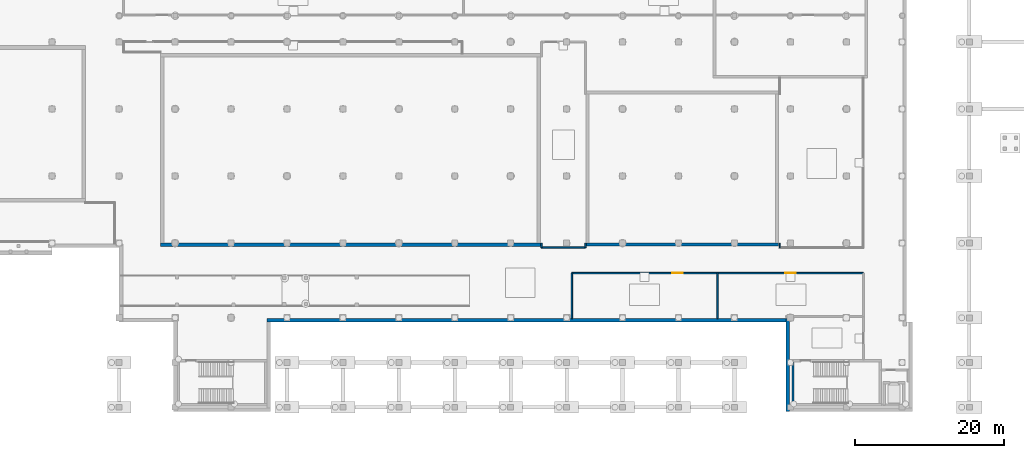
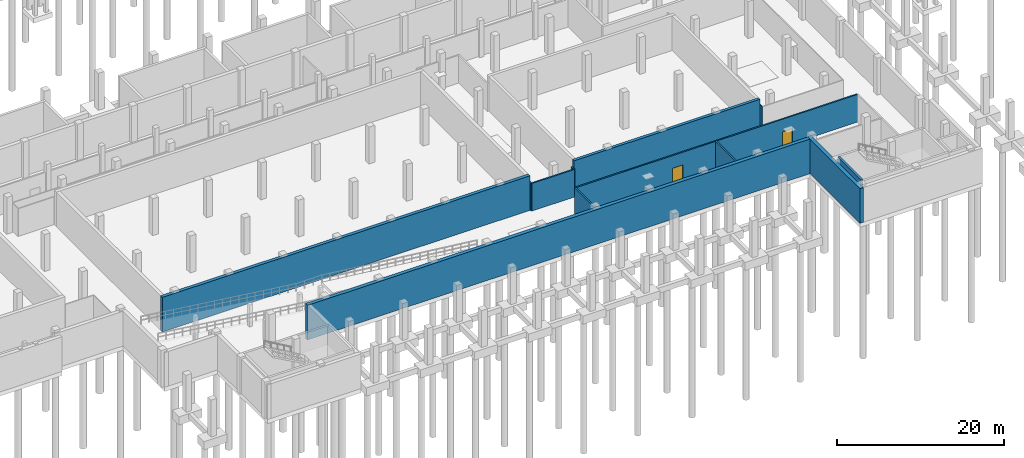
# One storey, part 10 of 19: 13 walls, 2 doors, 2 openings.
"""IFC4 building model written with IfcOpenShell, lengths in metres."""

from ifc_helpers import new_model, si_unit, direction, frame, frame_2d, origin, place, context, subcontext, project, spatial, rectangle, extrude, material, layer, layer_set, type_object, element, fill, save


model = new_model("IFC4")

# Units and contexts
model_context = context("Model", 3, precision=1e-05, world=origin(), true_north=direction((0.0, 1.0)))
body_context = subcontext(model_context, "Body", "Model", "MODEL_VIEW")
ifc_project = project(units=[si_unit("LENGTHUNIT", "METRE"), si_unit("AREAUNIT", "SQUARE_METRE"), si_unit("VOLUMEUNIT", "CUBIC_METRE"), si_unit("PLANEANGLEUNIT", "RADIAN"), si_unit("MASSUNIT", "GRAM", prefix="KILO")], contexts=[model_context])

# Site, building, storey
site_placement = place(None, origin())
site = spatial("IfcSite", under=ifc_project, at=site_placement, CompositionType="ELEMENT")
building_placement = place(site_placement, origin())
building = spatial("IfcBuilding", under=site, at=building_placement, Name="Vourika Railside Aquatics Centre", CompositionType="ELEMENT")
storey_placement = place(building_placement, frame((0.0, 0.0, -5.39990234375)))
storey = spatial("IfcBuildingStorey", under=building, at=storey_placement, Name="B1", CompositionType="ELEMENT", Elevation=-5.39990234375)

# Walls
ifc_material_1 = material(Name="Concrete C40/50", Category="concrete")
ifc_layer_1 = layer(ifc_material_1, 0.300048828125, Name="WL-CORE")
ifc_layer_set_1 = layer_set([ifc_layer_1], Name="Concrete C40/50")
wall_type_1 = type_object("IfcWallType", Name="WL-CORE", PredefinedType="SHEAR", material=ifc_layer_set_1)
wall_1_placement = place(storey_placement, frame((126.35009765625, 6.10009765625, 0.0), z_axis=(0.0, 0.0, 1.0), x_axis=(0.0, -1.0, 0.0)))
element("IfcWall", 1, at=wall_1_placement, inside=storey, type_object=wall_type_1, Name="Protected Exit Stair Core ST06 West Wall (B1)", PredefinedType="SHEAR", context=body_context, shape_type="SweptSolid", body=[
    extrude(rectangle(XDim=5.60009765625, YDim=0.300048828125, at=frame_2d((2.800048828125, 0.0))), origin(), (0.0, 0.0, 1.0), 5.39990234375),
])
ifc_material_2 = material(Name="Lightweight drylining partition")
ifc_layer_2 = layer(ifc_material_2, 0.1201171875, Name="WL-PART-120")
ifc_layer_set_2 = layer_set([ifc_layer_2], Name="Lightweight drylining partition")
wall_type_2 = type_object("IfcWallType", Name="WL-PART-120", PredefinedType="PARTITIONING", material=ifc_layer_set_2)
wall_2_placement = place(storey_placement, frame((124.60009765625, 21.39990234375, 0.0), z_axis=(0.0, 0.0, 1.0), x_axis=(0.0, 1.0, 0.0)))
element("IfcWall", 2, at=wall_2_placement, inside=storey, type_object=wall_type_2, Name="Training and Leisure Pool Filtration Hall Partition 3", PredefinedType="PARTITIONING", context=body_context, shape_type="SweptSolid", body=[
    extrude(rectangle(XDim=0.60009765625, YDim=0.1201171875, at=frame_2d((0.300048828125, 0.0))), origin(), (0.0, 0.0, 1.0), 4.0498046875),
])

# Wall, opening, door
ifc_material_3 = material(Name="Acoustic masonry blockwork", Category="masonry")
ifc_layer_3 = layer(ifc_material_3, 0.199951171875, Name="WL-PART-200")
ifc_layer_set_3 = layer_set([ifc_layer_3], Name="Acoustic masonry blockwork")
wall_type_3 = type_object("IfcWallType", Name="WL-PART-200", PredefinedType="PARTITIONING", material=ifc_layer_set_3)
wall_3_placement = place(storey_placement, frame((96.699951171875, 18.0, 0.0), z_axis=(0.0, 0.0, 1.0), x_axis=(1.0, 0.0, 0.0)))
wall_3 = element("IfcWall", 3, at=wall_3_placement, inside=storey, type_object=wall_type_3, Name="Bunded Dosing Reagents and Chemical Store Partition 1", PredefinedType="PARTITIONING", context=body_context, shape_type="SweptSolid", body=[
    extrude(rectangle(XDim=19.5, YDim=0.199951171875, at=frame_2d((9.75, 0.0))), origin(), (0.0, 0.0, 1.0), 4.0498046875),
])
opening_1_placement = place(wall_3_placement, frame((13.449951171875, 0.0, 0.0)))
opening_1 = element("IfcOpeningElement", 4, at=opening_1_placement, cuts=wall_3, Name="Opening DP01", PredefinedType="OPENING", context=body_context, shape_type="SweptSolid", body=[
    extrude(rectangle(XDim=1.39990234375, YDim=2.199951171875, at=frame_2d((0.699951171875, 1.10009765625))), frame((0.0, 0.10986328125, 0.0), z_axis=(0.0, -1.0, 0.0), x_axis=(1.0, 0.0, 0.0)), (0.0, 0.0, 1.0), 0.219970703125),
])
ifc_material_4 = material(Name="Fire-rated plant room double door")
door_type = type_object("IfcDoorType", Name="DR-PLT-1400D", OperationType="DOUBLE_DOOR_SINGLE_SWING", PredefinedType="DOOR", material=ifc_material_4)
door_1_placement = place(opening_1_placement, origin())
door_1 = element("IfcDoor", 5, at=door_1_placement, inside=storey, type_object=door_type, Name="Bunded Dosing Reagents and Chemical Store Door", OperationType="DOUBLE_DOOR_SINGLE_SWING", OverallHeight=2.199951171875, OverallWidth=1.39990234375, PredefinedType="DOOR", context=body_context, shape_type="SweptSolid", body=[
    extrude(rectangle(XDim=1.39990234375, YDim=2.199951171875, at=frame_2d((0.699951171875, 1.10009765625))), frame((0.0, 0.02490234375, 0.0), z_axis=(0.0, -1.0, 0.0), x_axis=(1.0, 0.0, 0.0)), (0.0, 0.0, 1.0), 0.050048828125),
])
fill(opening_1, door_1)

# Walls
for number, where, z_axis, x_axis, name in (
    (6, (96.699951171875, 11.8798828125, 0.0), (0.0, 0.0, 1.0), (0.0, 1.0, 0.0), "Bunded Dosing Reagents and Chemical Store Partition 2"),
    (7, (116.199951171875, 18.0, 0.0), (0.0, 0.0, 1.0), (0.0, -1.0, 0.0), "Bunded Dosing Reagents and Chemical Store Partition 3"),
):
    element("IfcWall", number, at=place(storey_placement, frame(where, z_axis=z_axis, x_axis=x_axis)), inside=storey, type_object=wall_type_3, Name=name, PredefinedType="PARTITIONING", context=body_context, shape_type="SweptSolid", body=[
        extrude(rectangle(XDim=6.1201171875, YDim=0.199951171875, at=frame_2d((3.06005859375, 0.0))), origin(), (0.0, 0.0, 1.0), 4.0498046875),
    ])

# Wall, opening, door
wall_4_placement = place(storey_placement, frame((116.280029296875, 18.0, 0.0), z_axis=(0.0, 0.0, 1.0), x_axis=(1.0, 0.0, 0.0)))
wall_4 = element("IfcWall", 8, at=wall_4_placement, inside=storey, type_object=wall_type_3, Name="Aquatic Maintenance Equipment Store Partition 1", PredefinedType="PARTITIONING", context=body_context, shape_type="SweptSolid", body=[
    extrude(rectangle(XDim=19.52001953125, YDim=0.199951171875, at=frame_2d((9.760009765625, 0.0))), origin(), (0.0, 0.0, 1.0), 4.0498046875),
])
opening_2_placement = place(wall_4_placement, frame((9.06005859375, 0.0, 0.0)))
opening_2 = element("IfcOpeningElement", 9, at=opening_2_placement, cuts=wall_4, Name="Opening DP01", PredefinedType="OPENING", context=body_context, shape_type="SweptSolid", body=[
    extrude(rectangle(XDim=1.39990234375, YDim=2.199951171875, at=frame_2d((0.699951171875, 1.10009765625))), frame((0.0, 0.10986328125, 0.0), z_axis=(0.0, -1.0, 0.0), x_axis=(1.0, 0.0, 0.0)), (0.0, 0.0, 1.0), 0.219970703125),
])
door_2_placement = place(opening_2_placement, origin())
door_2 = element("IfcDoor", 10, at=door_2_placement, inside=storey, type_object=door_type, Name="Aquatic Maintenance Equipment Store Door", OperationType="DOUBLE_DOOR_SINGLE_SWING", OverallHeight=2.199951171875, OverallWidth=1.39990234375, PredefinedType="DOOR", context=body_context, shape_type="SweptSolid", body=[
    extrude(rectangle(XDim=1.39990234375, YDim=2.199951171875, at=frame_2d((0.699951171875, 1.10009765625))), frame((0.0, 0.02490234375, 0.0), z_axis=(0.0, -1.0, 0.0), x_axis=(1.0, 0.0, 0.0)), (0.0, 0.0, 1.0), 0.050048828125),
])
fill(opening_2, door_2)

# Walls
wall_5_placement = place(storey_placement, frame((98.5, 21.39990234375, 0.0), z_axis=(0.0, 0.0, 1.0), x_axis=(-1.0, 0.0, 0.0)))
element("IfcWall", 11, at=wall_5_placement, inside=storey, type_object=wall_type_3, Name="Ozone Reactors and UV Disinfection Plant Partition 2", PredefinedType="PARTITIONING", context=body_context, shape_type="SweptSolid", body=[
    extrude(rectangle(XDim=5.89990234375, YDim=0.199951171875, at=frame_2d((2.949951171875, 0.0))), origin(), (0.0, 0.0, 1.0), 4.0498046875),
])
for number, where, z_axis, x_axis, name in (
    (12, (92.60009765625, 21.39990234375, 0.0), (0.0, 0.0, 1.0), (0.0, 1.0, 0.0), "Ozone Reactors and UV Disinfection Plant Partition 3"),
    (13, (98.5, 22.0, 0.0), (0.0, 0.0, 1.0), (0.0, -1.0, 0.0), "Ozone Reactors and UV Disinfection Plant Partition 4"),
):
    element("IfcWall", number, at=place(storey_placement, frame(where, z_axis=z_axis, x_axis=x_axis)), inside=storey, type_object=wall_type_3, Name=name, PredefinedType="PARTITIONING", context=body_context, shape_type="SweptSolid", body=[
        extrude(rectangle(XDim=0.60009765625, YDim=0.199951171875, at=frame_2d((0.300048828125, 0.0))), origin(), (0.0, 0.0, 1.0), 4.0498046875),
    ])
ifc_layer_4 = layer(ifc_material_1, 0.5, Name="WL-RET-500")
ifc_layer_set_4 = layer_set([ifc_layer_4], Name="Concrete C40/50")
wall_type_4 = type_object("IfcWallType", Name="WL-RET-500", PredefinedType="USERDEFINED", material=ifc_layer_set_4)
wall_6_placement = place(storey_placement, frame((125.64990234375, -0.60009765625, 0.0), z_axis=(0.0, 0.0, 1.0), x_axis=(0.0, 1.0, 0.0)))
element("IfcWall", 14, at=wall_6_placement, inside=storey, type_object=wall_type_4, Name="Basement Retaining Wall RW-21", ObjectType="RETAININGWALL", PredefinedType="USERDEFINED", context=body_context, shape_type="SweptSolid", body=[
    extrude(rectangle(XDim=12.5, YDim=0.5, at=frame_2d((6.25, 0.0))), origin(), (0.0, 0.0, 1.0), 5.079833984375),
])
wall_7_placement = place(storey_placement, frame((125.39990234375, 11.64990234375, 0.0), z_axis=(0.0, 0.0, 1.0), x_axis=(-1.0, 0.0, 0.0)))
element("IfcWall", 15, at=wall_7_placement, inside=storey, type_object=wall_type_4, Name="Basement Retaining Wall RW-22", ObjectType="RETAININGWALL", PredefinedType="USERDEFINED", context=body_context, shape_type="SweptSolid", body=[
    extrude(rectangle(XDim=69.599853515625, YDim=0.5, at=frame_2d((34.7998046875, 0.0))), origin(), (0.0, 0.0, 1.0), 5.079833984375),
])
ifc_layer_5 = layer(ifc_material_1, 0.39990234375, Name="WL-TANK-400")
ifc_layer_set_5 = layer_set([ifc_layer_5], Name="Concrete C40/50")
wall_type_5 = type_object("IfcWallType", Name="WL-TANK-400", PredefinedType="SOLIDWALL", material=ifc_layer_set_5)
wall_8_placement = place(storey_placement, frame((98.60009765625, 21.800048828125, 0.0), z_axis=(0.0, 0.0, 1.0), x_axis=(1.0, 0.0, 0.0)))
element("IfcWall", 16, at=wall_8_placement, inside=storey, type_object=wall_type_5, Name="Training Pool Tank Slab Wall S", PredefinedType="SOLIDWALL", context=body_context, shape_type="SweptSolid", body=[
    extrude(rectangle(XDim=25.7998046875, YDim=0.39990234375, at=frame_2d((12.89990234375, 0.0))), origin(), (0.0, 0.0, 1.0), 5.079833984375),
])
ifc_layer_6 = layer(ifc_material_1, 0.449951171875, Name="WL-TANK-450")
ifc_layer_set_6 = layer_set([ifc_layer_6], Name="Concrete C40/50")
wall_type_6 = type_object("IfcWallType", Name="WL-TANK-450", PredefinedType="SOLIDWALL", material=ifc_layer_set_6)
wall_9_placement = place(storey_placement, frame((41.550048828125, 21.77490234375, 0.0), z_axis=(0.0, 0.0, 1.0), x_axis=(1.0, 0.0, 0.0)))
element("IfcWall", 17, at=wall_9_placement, inside=storey, type_object=wall_type_6, Name="Competition Pool Tank Slab Wall S", PredefinedType="SOLIDWALL", context=body_context, shape_type="SweptSolid", body=[
    extrude(rectangle(XDim=50.919921875, YDim=0.449951171875, at=frame_2d((25.4599609375, 0.0))), origin(), (0.0, 0.0, 1.0), 5.079833984375),
])

save(model, "model.ifc")
